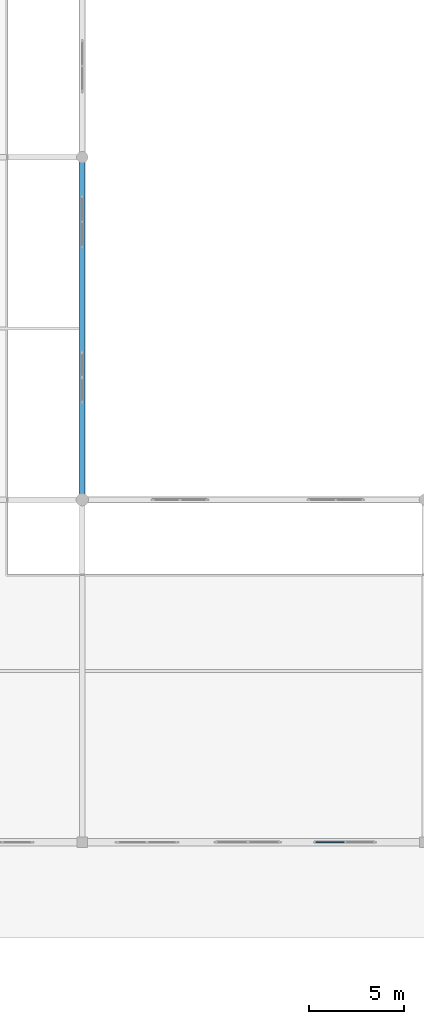
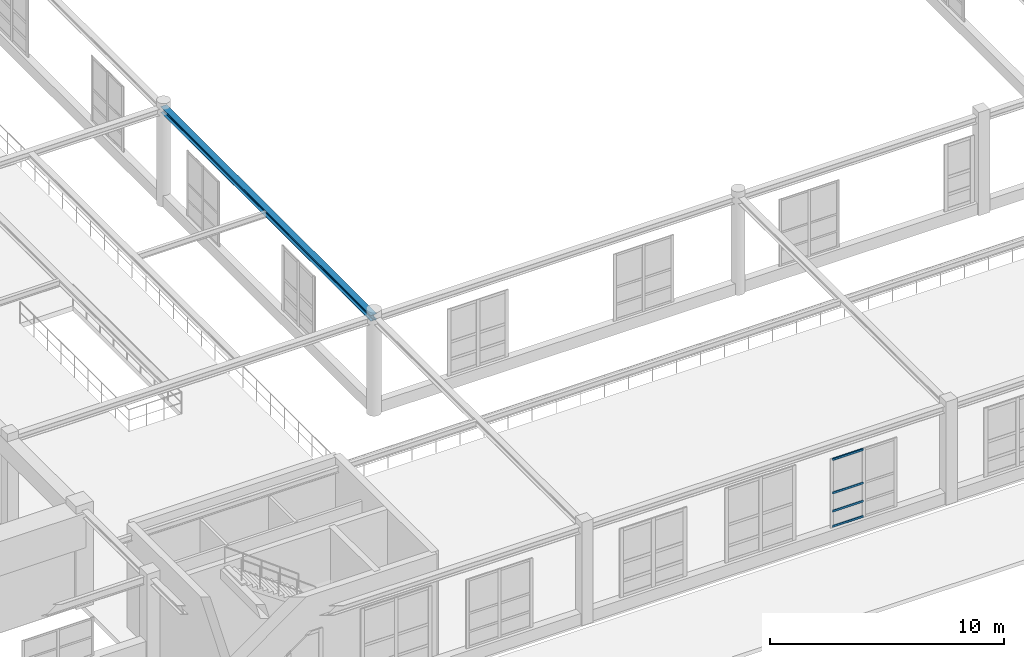
# One storey, part 56 of 197: 4 members, 1 beam, 1 element without a shape of its own.
"""IFC4 building model written with IfcOpenShell, lengths in metres."""

from ifc_helpers import new_model, si_unit, derived_unit, direction, frame, origin, origin_2d, place, context, subcontext, project, spatial, hollow_rectangle, i_section, extrude, material, layer, layer_set, material_profile, profile_set, type_object, element, aggregate, save


model = new_model("IFC4")

# Units and contexts
model_context = context("Model", 3, precision=1e-05, world=origin(), true_north=direction((0.0, 1.0)))
body_context = subcontext(model_context, "Body", "Model", "MODEL_VIEW")
ifc_project = project(units=[si_unit("LENGTHUNIT", "METRE"), si_unit("AREAUNIT", "SQUARE_METRE"), si_unit("VOLUMEUNIT", "CUBIC_METRE"), si_unit("PLANEANGLEUNIT", "RADIAN"), si_unit("MASSUNIT", "GRAM", prefix="KILO"), derived_unit("THERMALTRANSMITTANCEUNIT", [(si_unit("POWERUNIT", "WATT"), 1), (si_unit("LENGTHUNIT", "METRE"), -2), (si_unit("THERMODYNAMICTEMPERATUREUNIT", "KELVIN"), -1)])], contexts=[model_context])

# Site, building, storey
site_placement = place(None, origin())
site = spatial("IfcSite", under=ifc_project, at=site_placement, CompositionType="ELEMENT")
building_placement = place(site_placement, origin())
building = spatial("IfcBuilding", under=site, at=building_placement, Name="Almenara Railside Exhibition Hall", CompositionType="ELEMENT")
storey_placement = place(building_placement, frame((0.0, 0.0, 5.39990234375)))
storey = spatial("IfcBuildingStorey", under=building, at=storey_placement, Name="L01", CompositionType="ELEMENT", Elevation=5.39990234375)

# Curtain wall, members
ifc_material_1 = material(Name="Bronze-anodised aluminium and low-E double glazing", Category="aluminium")
ifc_layer = layer(ifc_material_1, 0.179931640625, Name="Bronze-anodised aluminium and low-E double glazing")
ifc_layer_set = layer_set([ifc_layer], Name="Bronze-anodised aluminium and low-E double glazing")
curtain_wall_type = type_object("IfcCurtainWallType", Name="Concourse Bridge Curtain Wall 3200x3600", PredefinedType="NOTDEFINED", material=ifc_layer_set)
curtain_wall_placement = place(storey_placement, origin())
curtain_wall = element("IfcCurtainWall", 1, at=curtain_wall_placement, inside=storey, type_object=curtain_wall_type, Name="Curtain wall CW-PC3-129", PredefinedType="NOTDEFINED")
ifc_material_2 = material(Name="Bronze-anodised aluminium", Category="aluminium")
ifc_material_profile_1 = material_profile(ifc_material_2, hollow_rectangle(XDim=0.06005859375, YDim=0.110107421875, WallThickness=0.0029296875, InnerFilletRadius=0.0029296875, OuterFilletRadius=0.006103515625, at=origin_2d()), Name="ALU-TRN 60x110x3")
ifc_profile_set_1 = profile_set([ifc_material_profile_1], Name="Bronze-anodised aluminium")
member_type = type_object("IfcMemberType", Name="Curtain Wall Transom 60x110x3", PredefinedType="USERDEFINED", material=ifc_profile_set_1)
member_1_placement = place(storey_placement, frame((96.251953125, 36.0, 0.655029296875), z_axis=(1.0, 0.0, 0.0), x_axis=(0.0, 1.0, 0.0)))
member_1 = element("IfcMember", 2, at=member_1_placement, type_object=member_type, Name="CW-PC3-129 transom 1.1", ObjectType="TRANSOM", PredefinedType="USERDEFINED", context=body_context, shape_type="SweptSolid", body=[
    extrude(hollow_rectangle(XDim=0.06005859375, YDim=0.110107421875, WallThickness=0.0029296875, InnerFilletRadius=0.0029296875, OuterFilletRadius=0.006103515625, at=origin_2d()), origin(), (0.0, 0.0, 1.0), 1.526123046875),
])
member_2_placement = place(storey_placement, frame((96.251953125, 36.0, 1.4501953125), z_axis=(1.0, 0.0, 0.0), x_axis=(0.0, 1.0, 0.0)))
member_2 = element("IfcMember", 3, at=member_2_placement, type_object=member_type, Name="CW-PC3-129 transom 1.2", ObjectType="TRANSOM", PredefinedType="USERDEFINED", context=body_context, shape_type="SweptSolid", body=[
    extrude(hollow_rectangle(XDim=0.06005859375, YDim=0.110107421875, WallThickness=0.0029296875, InnerFilletRadius=0.0029296875, OuterFilletRadius=0.006103515625, at=origin_2d()), origin(), (0.0, 0.0, 1.0), 1.526123046875),
])
member_3_placement = place(storey_placement, frame((96.251953125, 36.0, 2.400146484375), z_axis=(1.0, 0.0, 0.0), x_axis=(0.0, 1.0, 0.0)))
member_3 = element("IfcMember", 4, at=member_3_placement, type_object=member_type, Name="CW-PC3-129 transom 1.3", ObjectType="TRANSOM", PredefinedType="USERDEFINED", context=body_context, shape_type="SweptSolid", body=[
    extrude(hollow_rectangle(XDim=0.06005859375, YDim=0.110107421875, WallThickness=0.0029296875, InnerFilletRadius=0.0029296875, OuterFilletRadius=0.006103515625, at=origin_2d()), origin(), (0.0, 0.0, 1.0), 1.526123046875),
])
member_4_placement = place(storey_placement, frame((96.251953125, 36.0, 4.14501953125), z_axis=(1.0, 0.0, 0.0), x_axis=(0.0, 1.0, 0.0)))
member_4 = element("IfcMember", 5, at=member_4_placement, type_object=member_type, Name="CW-PC3-129 transom 1.4", ObjectType="TRANSOM", PredefinedType="USERDEFINED", context=body_context, shape_type="SweptSolid", body=[
    extrude(hollow_rectangle(XDim=0.06005859375, YDim=0.110107421875, WallThickness=0.0029296875, InnerFilletRadius=0.0029296875, OuterFilletRadius=0.006103515625, at=origin_2d()), origin(), (0.0, 0.0, 1.0), 1.526123046875),
])
aggregate(curtain_wall, [member_1, member_2, member_3, member_4])

# Beam
ifc_material_3 = material(Name="Structural steel S355JR", Category="steel")
ifc_material_profile_2 = material_profile(ifc_material_3, i_section(OverallWidth=0.300048828125, OverallDepth=0.31005859375, WebThickness=0.009033203125, FlangeThickness=0.015380859375, FilletRadius=0.027099609375, at=origin_2d()), Name="HEA 320")
ifc_profile_set_2 = profile_set([ifc_material_profile_2], Name="Structural steel S355JR")
beam_type = type_object("IfcBeamType", Name="Steel Concourse Edge Beam HEA 320 S355JR", PredefinedType="BEAM", material=ifc_profile_set_2)
beam_placement = place(storey_placement, frame((84.0, 54.0, 4.93505859375), z_axis=(0.0, 1.0, 0.0), x_axis=(-1.0, 0.0, 0.0)))
element("IfcBeam", 6, at=beam_placement, inside=storey, type_object=beam_type, Name="Beam 0813", PredefinedType="BEAM", context=body_context, shape_type="SweptSolid", body=[
    extrude(i_section(OverallWidth=0.300048828125, OverallDepth=0.31005859375, WebThickness=0.009033203125, FlangeThickness=0.015380859375, FilletRadius=0.027099609375, at=origin_2d()), origin(), (0.0, 0.0, 1.0), 18.0),
])

save(model, "model.ifc")
